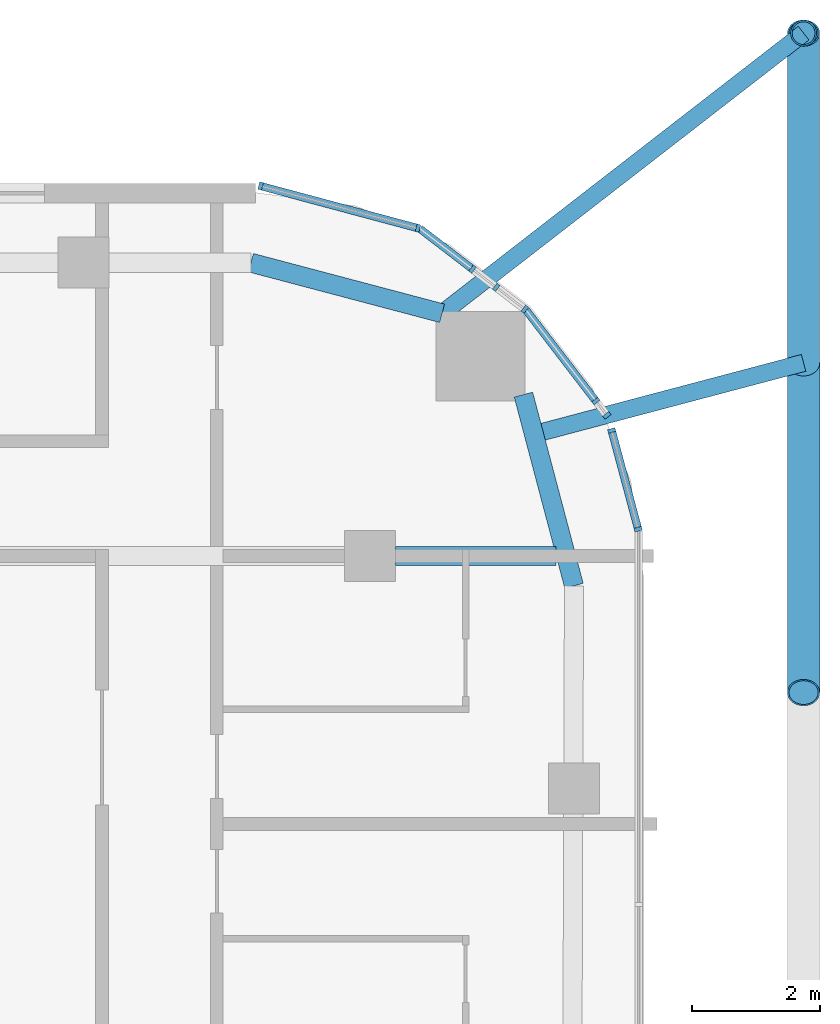
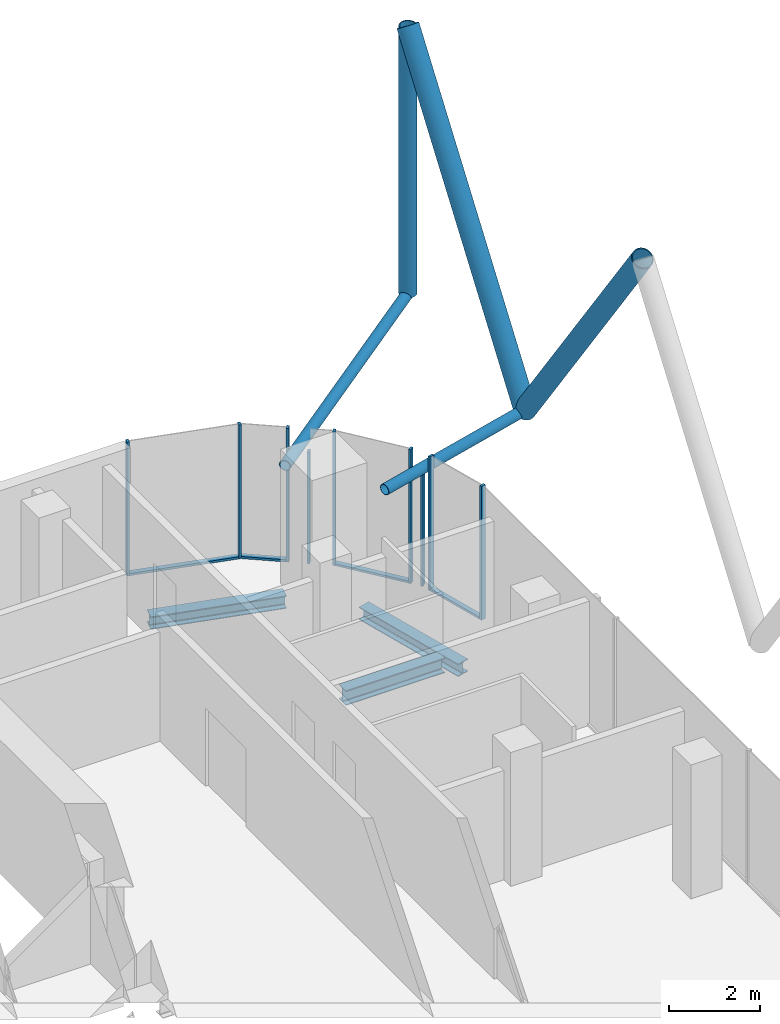
# One storey, part 11 of 31: 18 members, 3 beams, 7 elements without a shape of their own.
"""IFC4 building model written with IfcOpenShell, lengths in metres."""

from ifc_helpers import new_model, si_unit, direction, frame, origin, origin_2d, place, context, subcontext, project, spatial, rectangle, hollow_circle, i_section, extrude, material, layer, layer_set, material_profile, profile_set, type_object, element, aggregate, save


model = new_model("IFC4")

# Units and contexts
model_context = context("Model", 3, precision=1e-05, world=origin(), true_north=direction((0.0, 1.0)))
body_context = subcontext(model_context, "Body", "Model", "MODEL_VIEW")
ifc_project = project(units=[si_unit("LENGTHUNIT", "METRE"), si_unit("AREAUNIT", "SQUARE_METRE"), si_unit("VOLUMEUNIT", "CUBIC_METRE"), si_unit("PLANEANGLEUNIT", "RADIAN"), si_unit("MASSUNIT", "GRAM", prefix="KILO")], contexts=[model_context])

# Site, building, storey
site_placement = place(None, origin())
site = spatial("IfcSite", under=ifc_project, at=site_placement, CompositionType="ELEMENT")
building_placement = place(site_placement, origin())
building = spatial("IfcBuilding", under=site, at=building_placement, Name="Marenta Gate Hotel Tower", CompositionType="ELEMENT")
storey_placement = place(building_placement, frame((0.0, 0.0, 205.699951171875)))
storey = spatial("IfcBuildingStorey", under=building, at=storey_placement, Name="L47", CompositionType="ELEMENT", Elevation=205.699951171875)

# Members
ifc_material_1 = material(Name="Steel S355J2W", Category="steel")
ifc_material_profile_1 = material_profile(ifc_material_1, hollow_circle(Radius=0.203125, WallThickness=0.02490234375, at=origin_2d()), Name="CHS 406.4x25")
ifc_profile_set_1 = profile_set([ifc_material_profile_1], Name="Steel S355J2W")
member_type_1 = type_object("IfcMemberType", Name="Diagrid corner post Z3 CHS 406.4x25", PredefinedType="POST", material=ifc_profile_set_1)
member_1_placement = place(storey_placement, frame((27.800048828125, 25.0, 3.14013671875), z_axis=(0.0, 0.0, 1.0), x_axis=(1.0, 0.0, 0.0)))
element("IfcMember", 1, at=member_1_placement, inside=storey, type_object=member_type_1, Name="L47-DR-1", PredefinedType="POST", context=body_context, shape_type="SweptSolid", body=[
    extrude(hollow_circle(Radius=0.203125, WallThickness=0.02490234375, at=origin_2d()), origin(), (0.0, 0.0, 1.0), 7.199951171875),
])
ifc_material_2 = material(Name="Steel S355J2W", Category="steel")
ifc_material_profile_2 = material_profile(ifc_material_2, hollow_circle(Radius=0.25390625, WallThickness=0.02490234375, at=origin_2d()), Name="CHS 508x25")
ifc_profile_set_2 = profile_set([ifc_material_profile_2], Name="Steel S355J2W")
member_type_2 = type_object("IfcMemberType", Name="Diagrid diagonal Z3 CHS 508x25", PredefinedType="BRACE", material=ifc_profile_set_2)
member_2_placement = place(storey_placement, frame((27.800048828125, 19.830078125, 3.14013671875), z_axis=(0.0, 0.583260841117, 0.812284919975), x_axis=(-1.0, 0.0, 0.0)))
element("IfcMember", 2, at=member_2_placement, inside=storey, type_object=member_type_2, Name="L47-DG-1", PredefinedType="BRACE", context=body_context, shape_type="SweptSolid", body=[
    extrude(hollow_circle(Radius=0.25390625, WallThickness=0.02490234375, at=origin_2d()), origin(), (0.0, 0.0, 1.0), 8.86376953125),
])
member_3_placement = place(storey_placement, frame((27.800048828125, 19.830078125, 3.14013671875), z_axis=(0.0, -0.583279014058, 0.812271870595), x_axis=(1.0, 0.0, 0.0)))
element("IfcMember", 3, at=member_3_placement, inside=storey, type_object=member_type_2, Name="L47-DG-2", PredefinedType="BRACE", context=body_context, shape_type="SweptSolid", body=[
    extrude(hollow_circle(Radius=0.25390625, WallThickness=0.02490234375, at=origin_2d()), origin(), (0.0, 0.0, 1.0), 8.864013671875),
])

# Beams
ifc_material_3 = material(Name="Steel S355", Category="steel")
ifc_material_profile_3 = material_profile(ifc_material_3, i_section(OverallWidth=0.300048828125, OverallDepth=0.340087890625, WebThickness=0.011962890625, FlangeThickness=0.021484375, FilletRadius=0.027099609375, at=origin_2d()), Name="HEB 340")
ifc_profile_set_3 = profile_set([ifc_material_profile_3], Name="Steel S355")
beam_type_1 = type_object("IfcBeamType", Name="Edge beam HEB 340", PredefinedType="SPANDREL", material=ifc_profile_set_3)
beam_1_placement = place(storey_placement, frame((19.134521484375, 21.39990234375, -0.429931640625), z_axis=(0.9667647815, -0.25566747398, 0.0), x_axis=(0.25566747398, 0.9667647815, 0.0)))
element("IfcBeam", 4, at=beam_1_placement, inside=storey, type_object=beam_type_1, Name="L47-EB-20", PredefinedType="SPANDREL", context=body_context, shape_type="SweptSolid", body=[
    extrude(i_section(OverallWidth=0.300048828125, OverallDepth=0.340087890625, WebThickness=0.011962890625, FlangeThickness=0.021484375, FilletRadius=0.027099609375, at=origin_2d()), origin(), (0.0, 0.0, 1.0), 3.1005859375),
])
beam_2_placement = place(storey_placement, frame((23.4072265625, 19.332275390625, -0.429931640625), z_axis=(0.255648013319, -0.966769927794, 0.0), x_axis=(0.966769927794, 0.255648013319, 0.0)))
element("IfcBeam", 5, at=beam_2_placement, inside=storey, type_object=beam_type_1, Name="L47-EB-21", PredefinedType="SPANDREL", context=body_context, shape_type="SweptSolid", body=[
    extrude(i_section(OverallWidth=0.300048828125, OverallDepth=0.340087890625, WebThickness=0.011962890625, FlangeThickness=0.021484375, FilletRadius=0.027099609375, at=origin_2d()), origin(), (0.0, 0.0, 1.0), 3.100830078125),
])

# Members
ifc_material_4 = material(Name="Steel S355J2W", Category="steel")
ifc_material_profile_4 = material_profile(ifc_material_4, hollow_circle(Radius=0.136474609375, WallThickness=0.012451171875, at=origin_2d()), Name="CHS 273x12.5")
ifc_profile_set_4 = profile_set([ifc_material_profile_4], Name="Steel S355J2W")
member_type_3 = type_object("IfcMemberType", Name="Floor tie CHS 273x12.5", PredefinedType="STRUT", material=ifc_profile_set_4)
member_4_placement = place(storey_placement, frame((27.800048828125, 25.0, 3.14013671875), z_axis=(-0.790398962363, -0.61259242592, 0.0), x_axis=(0.61259242592, -0.790398962363, 0.0)))
element("IfcMember", 6, at=member_4_placement, inside=storey, type_object=member_type_3, Name="L47-DR-7", PredefinedType="STRUT", context=body_context, shape_type="SweptSolid", body=[
    extrude(hollow_circle(Radius=0.136474609375, WallThickness=0.012451171875, at=origin_2d()), origin(), (0.0, 0.0, 1.0), 7.163330078125),
])
member_5_placement = place(storey_placement, frame((27.800048828125, 19.830078125, 3.14013671875), z_axis=(-0.966769042409, -0.255651361506, 0.0), x_axis=(0.255651361506, -0.966769042409, 0.0)))
element("IfcMember", 7, at=member_5_placement, inside=storey, type_object=member_type_3, Name="L47-DR-8", PredefinedType="STRUT", context=body_context, shape_type="SweptSolid", body=[
    extrude(hollow_circle(Radius=0.136474609375, WallThickness=0.012451171875, at=origin_2d()), origin(), (0.0, 0.0, 1.0), 4.3681640625),
])

# Beam
ifc_material_5 = material(Name="Steel S355", Category="steel")
ifc_material_profile_5 = material_profile(ifc_material_5, i_section(OverallWidth=0.300048828125, OverallDepth=0.39990234375, WebThickness=0.013427734375, FlangeThickness=0.02392578125, FilletRadius=0.027099609375, at=origin_2d()), Name="HEB 400")
ifc_profile_set_5 = profile_set([ifc_material_profile_5], Name="Steel S355")
beam_type_2 = type_object("IfcBeamType", Name="Girder HEB 400", PredefinedType="BEAM", material=ifc_profile_set_5)
beam_3_placement = place(storey_placement, frame((21.39990234375, 16.800048828125, -0.4599609375), z_axis=(1.0, 0.0, 0.0), x_axis=(0.0, 1.0, 0.0)))
element("IfcBeam", 8, at=beam_3_placement, inside=storey, type_object=beam_type_2, Name="L47-GD-33", PredefinedType="BEAM", context=body_context, shape_type="SweptSolid", body=[
    extrude(i_section(OverallWidth=0.300048828125, OverallDepth=0.39990234375, WebThickness=0.013427734375, FlangeThickness=0.02392578125, FilletRadius=0.027099609375, at=origin_2d()), origin(), (0.0, 0.0, 1.0), 2.521728515625),
])

# Curtain wall, members
ifc_material_6 = material(Name="Tinted insulated glass in bronze anodised frame", Category="glass")
ifc_layer = layer(ifc_material_6, 0.1201171875)
ifc_layer_set = layer_set([ifc_layer], Name="Tinted insulated glass in bronze anodised frame")
curtain_wall_type = type_object("IfcCurtainWallType", Name="Tower unitised curtain wall CW1", PredefinedType="NOTDEFINED", material=ifc_layer_set)
curtain_wall_1_placement = place(storey_placement, origin())
curtain_wall_1 = element("IfcCurtainWall", 9, at=curtain_wall_1_placement, inside=storey, type_object=curtain_wall_type, Name="CW1 run G35", PredefinedType="NOTDEFINED")
ifc_material_7 = material(Name="Bronze anodised aluminium", Category="aluminium")
ifc_material_profile_6 = material_profile(ifc_material_7, rectangle(XDim=0.1201171875, YDim=0.06005859375, at=origin_2d()), Name="Mullion CW1 60x120 bronze anodised aluminium")
ifc_profile_set_6 = profile_set([ifc_material_profile_6], Name="Bronze anodised aluminium")
member_type_4 = type_object("IfcMemberType", Name="Mullion CW1 60x120 bronze anodised aluminium", PredefinedType="MULLION", material=ifc_profile_set_6)
member_6_placement = place(storey_placement, frame((25.206298828125, 17.220947265625, 0.0), z_axis=(0.0, 0.0, 1.0), x_axis=(-0.965922818295, -0.25883027083, 0.0)))
member_6 = element("IfcMember", 10, at=member_6_placement, type_object=member_type_4, Name="CW1 mullion 1", PredefinedType="MULLION", context=body_context, shape_type="SweptSolid", body=[
    extrude(rectangle(XDim=0.1201171875, YDim=0.06005859375, at=origin_2d()), origin(), (0.0, 0.0, 1.0), 3.60009765625),
])
member_7_placement = place(storey_placement, frame((24.791259765625, 18.76904296875, 0.0), z_axis=(0.0, 0.0, 1.0), x_axis=(-0.965922818295, -0.25883027083, 0.0)))
member_7 = element("IfcMember", 11, at=member_7_placement, type_object=member_type_4, Name="CW1 mullion 2", PredefinedType="MULLION", context=body_context, shape_type="SweptSolid", body=[
    extrude(rectangle(XDim=0.1201171875, YDim=0.06005859375, at=origin_2d()), origin(), (0.0, 0.0, 1.0), 3.60009765625),
])

# Curtain wall, member
curtain_wall_2_placement = place(storey_placement, origin())
curtain_wall_2 = element("IfcCurtainWall", 12, at=curtain_wall_2_placement, inside=storey, type_object=curtain_wall_type, Name="CW1 run G36", PredefinedType="NOTDEFINED")
member_8_placement = place(storey_placement, frame((24.7158203125, 19.00634765625, 0.0), z_axis=(0.0, 0.0, 1.0), x_axis=(-0.793317236047, -0.608808478087, 0.0)))
member_8 = element("IfcMember", 13, at=member_8_placement, type_object=member_type_4, Name="CW1 mullion 1", PredefinedType="MULLION", context=body_context, shape_type="SweptSolid", body=[
    extrude(rectangle(XDim=0.1201171875, YDim=0.06005859375, at=origin_2d()), origin(), (0.0, 0.0, 1.0), 3.00048828125),
])
aggregate(curtain_wall_2, [member_8])

curtain_wall_3_placement = place(storey_placement, origin())
curtain_wall_3 = element("IfcCurtainWall", 14, at=curtain_wall_3_placement, inside=storey, type_object=curtain_wall_type, Name="CW1 run G37", PredefinedType="NOTDEFINED")
member_9_placement = place(storey_placement, frame((24.54296875, 19.231689453125, 0.0), z_axis=(0.0, 0.0, 1.0), x_axis=(-0.79333584573, -0.608784227687, 0.0)))
member_9 = element("IfcMember", 15, at=member_9_placement, type_object=member_type_4, Name="CW1 mullion 1", PredefinedType="MULLION", context=body_context, shape_type="SweptSolid", body=[
    extrude(rectangle(XDim=0.1201171875, YDim=0.06005859375, at=origin_2d()), origin(), (0.0, 0.0, 1.0), 3.60009765625),
])

curtain_wall_4_placement = place(storey_placement, origin())
curtain_wall_4 = element("IfcCurtainWall", 16, at=curtain_wall_4_placement, inside=storey, type_object=curtain_wall_type, Name="CW1 run G38", PredefinedType="NOTDEFINED")
member_10_placement = place(storey_placement, frame((23.4287109375, 20.6708984375, 0.0), z_axis=(0.0, 0.0, 1.0), x_axis=(-0.608769572677, -0.793347091368, 0.0)))
member_10 = element("IfcMember", 17, at=member_10_placement, type_object=member_type_4, Name="CW1 mullion 1", PredefinedType="MULLION", context=body_context, shape_type="SweptSolid", body=[
    extrude(rectangle(XDim=0.1201171875, YDim=0.06005859375, at=origin_2d()), origin(), (0.0, 0.0, 1.0), 3.60009765625),
])
aggregate(curtain_wall_4, [member_10])

curtain_wall_5_placement = place(storey_placement, origin())
curtain_wall_5 = element("IfcCurtainWall", 18, at=curtain_wall_5_placement, inside=storey, type_object=curtain_wall_type, Name="CW1 run G39", PredefinedType="NOTDEFINED")
member_11_placement = place(storey_placement, frame((22.98046875, 21.014892578125, 0.0), z_axis=(0.0, 0.0, 1.0), x_axis=(-0.608843780404, -0.793290143052, 0.0)))
member_11 = element("IfcMember", 19, at=member_11_placement, type_object=member_type_4, Name="CW1 mullion 1", PredefinedType="MULLION", context=body_context, shape_type="SweptSolid", body=[
    extrude(rectangle(XDim=0.1201171875, YDim=0.06005859375, at=origin_2d()), origin(), (0.0, 0.0, 1.0), 3.00048828125),
])
aggregate(curtain_wall_5, [member_11])

curtain_wall_6_placement = place(storey_placement, origin())
curtain_wall_6 = element("IfcCurtainWall", 20, at=curtain_wall_6_placement, inside=storey, type_object=curtain_wall_type, Name="CW1 run G40", PredefinedType="NOTDEFINED")
member_12_placement = place(storey_placement, frame((22.60888671875, 21.300048828125, 0.0), z_axis=(0.0, 0.0, 1.0), x_axis=(-0.60877235005, -0.793344960162, 0.0)))
member_12 = element("IfcMember", 21, at=member_12_placement, type_object=member_type_4, Name="CW1 mullion 1", PredefinedType="MULLION", context=body_context, shape_type="SweptSolid", body=[
    extrude(rectangle(XDim=0.1201171875, YDim=0.06005859375, at=origin_2d()), origin(), (0.0, 0.0, 1.0), 3.60009765625),
])

# Curtain wall, members
curtain_wall_7_placement = place(storey_placement, origin())
curtain_wall_7 = element("IfcCurtainWall", 22, at=curtain_wall_7_placement, inside=storey, type_object=curtain_wall_type, Name="CW1 run G41", PredefinedType="NOTDEFINED")
member_13_placement = place(storey_placement, frame((21.75341796875, 21.94189453125, 0.0), z_axis=(0.0, 0.0, 1.0), x_axis=(-0.258804895175, -0.96592961764, 0.0)))
member_13 = element("IfcMember", 23, at=member_13_placement, type_object=member_type_4, Name="CW1 mullion 1", PredefinedType="MULLION", context=body_context, shape_type="SweptSolid", body=[
    extrude(rectangle(XDim=0.1201171875, YDim=0.06005859375, at=origin_2d()), origin(), (0.0, 0.0, 1.0), 3.60009765625),
])
member_14_placement = place(storey_placement, frame((19.285400390625, 22.603271484375, 0.0), z_axis=(0.0, 0.0, 1.0), x_axis=(-0.258804895175, -0.96592961764, 0.0)))
member_14 = element("IfcMember", 24, at=member_14_placement, type_object=member_type_4, Name="CW1 mullion 2", PredefinedType="MULLION", context=body_context, shape_type="SweptSolid", body=[
    extrude(rectangle(XDim=0.1201171875, YDim=0.06005859375, at=origin_2d()), origin(), (0.0, 0.0, 1.0), 3.60009765625),
])

# Member
ifc_material_8 = material(Name="Bronze anodised aluminium", Category="aluminium")
ifc_material_profile_7 = material_profile(ifc_material_8, rectangle(XDim=0.1201171875, YDim=0.06005859375, at=origin_2d()), Name="Transom CW1 60x120 bronze anodised aluminium")
ifc_profile_set_7 = profile_set([ifc_material_profile_7], Name="Bronze anodised aluminium")
member_type_5 = type_object("IfcMemberType", Name="Transom CW1 60x120 bronze anodised aluminium", PredefinedType="USERDEFINED", material=ifc_profile_set_7)
member_15_placement = place(storey_placement, frame((25.198486328125, 17.249755859375, 0.030029296875), z_axis=(-0.258844166869, 0.965919094582, 0.0), x_axis=(-0.965919094582, -0.258844166869, 0.0)))
member_15 = element("IfcMember", 25, at=member_15_placement, type_object=member_type_5, Name="CW1 transom 1.1", ObjectType="TRANSOM", PredefinedType="USERDEFINED", context=body_context, shape_type="SweptSolid", body=[
    extrude(rectangle(XDim=0.1201171875, YDim=0.06005859375, at=origin_2d()), origin(), (0.0, 0.0, 1.0), 1.54296875),
])

aggregate(curtain_wall_1, [member_6, member_7, member_15])

member_16_placement = place(storey_placement, frame((24.524658203125, 19.25537109375, 0.030029296875), z_axis=(-0.608725448508, 0.793380947804, 0.0), x_axis=(-0.793380947804, -0.608725448508, 0.0)))
member_16 = element("IfcMember", 26, at=member_16_placement, type_object=member_type_5, Name="CW1 transom 1.1", ObjectType="TRANSOM", PredefinedType="USERDEFINED", context=body_context, shape_type="SweptSolid", body=[
    extrude(rectangle(XDim=0.1201171875, YDim=0.06005859375, at=origin_2d()), origin(), (0.0, 0.0, 1.0), 1.760986328125),
])

aggregate(curtain_wall_3, [member_9, member_16])

member_17_placement = place(storey_placement, frame((22.585205078125, 21.318359375, 0.030029296875), z_axis=(-0.793466512091, 0.608613912255, 0.0), x_axis=(-0.608613912255, -0.793466512091, 0.0)))
member_17 = element("IfcMember", 27, at=member_17_placement, type_object=member_type_5, Name="CW1 transom 1.1", ObjectType="TRANSOM", PredefinedType="USERDEFINED", context=body_context, shape_type="SweptSolid", body=[
    extrude(rectangle(XDim=0.1201171875, YDim=0.06005859375, at=origin_2d()), origin(), (0.0, 0.0, 1.0), 1.01171875),
])

aggregate(curtain_wall_6, [member_12, member_17])

member_18_placement = place(storey_placement, frame((21.724609375, 21.94970703125, 0.030029296875), z_axis=(-0.965930582093, 0.258801295547, 0.0), x_axis=(-0.258801295547, -0.965930582093, 0.0)))
member_18 = element("IfcMember", 28, at=member_18_placement, type_object=member_type_5, Name="CW1 transom 1.1", ObjectType="TRANSOM", PredefinedType="USERDEFINED", context=body_context, shape_type="SweptSolid", body=[
    extrude(rectangle(XDim=0.1201171875, YDim=0.06005859375, at=origin_2d()), origin(), (0.0, 0.0, 1.0), 2.4951171875),
])

aggregate(curtain_wall_7, [member_13, member_14, member_18])

save(model, "model.ifc")
